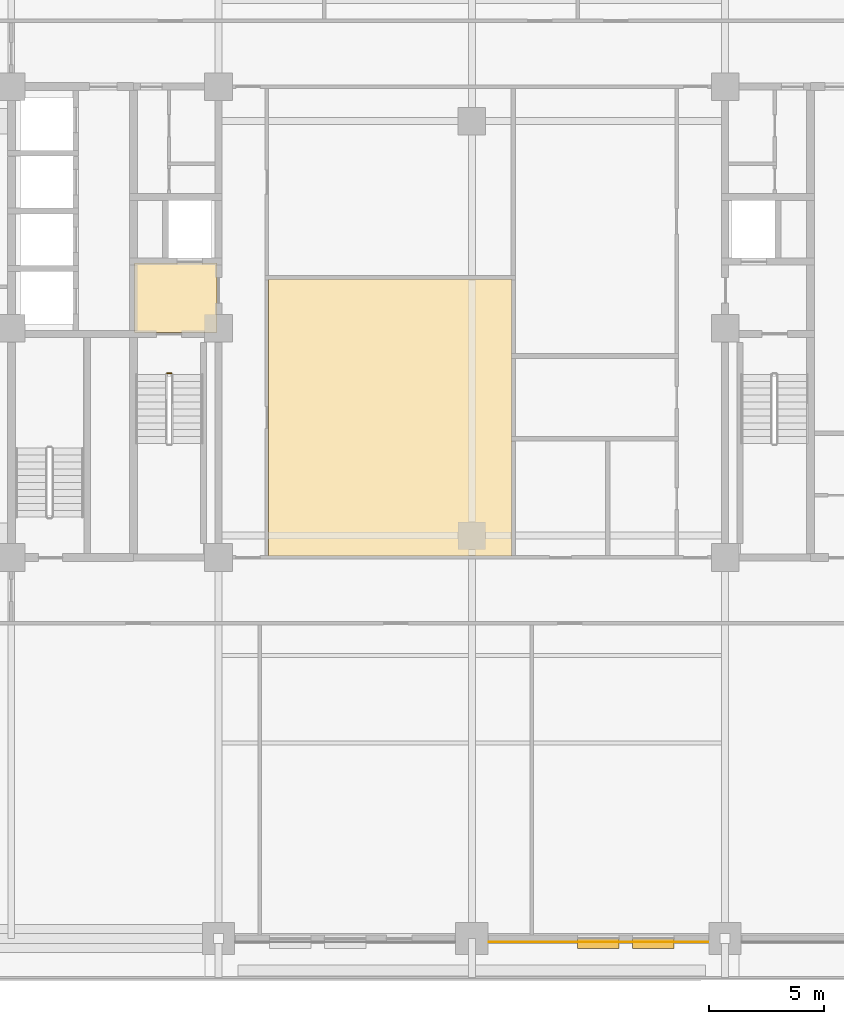
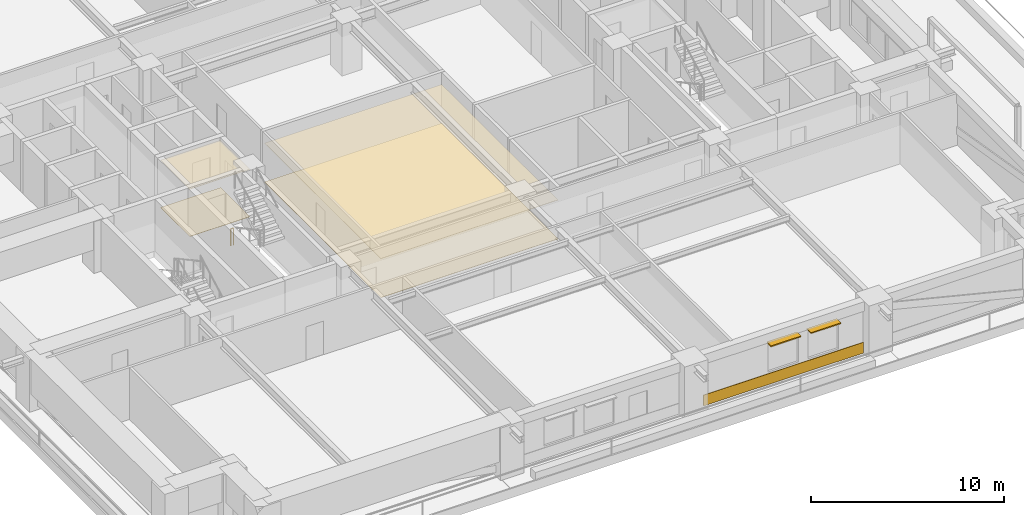
# One storey, part 15 of 18: 5 coverings, 2 shading devices, 1 railing.
"""IFC4 building model written with IfcOpenShell, lengths in metres."""

from ifc_helpers import new_model, si_unit, direction, frame, frame_2d, origin, origin_2d, place, context, subcontext, project, spatial, polyline, rectangle, outline, extrude, material, layer, layer_set, type_object, element, save


model = new_model("IFC4")

# Units and contexts
model_context = context("Model", 3, precision=1e-05, world=origin(), true_north=direction((0.0, 1.0)))
body_context = subcontext(model_context, "Body", "Model", "MODEL_VIEW")
ifc_project = project(units=[si_unit("LENGTHUNIT", "METRE"), si_unit("AREAUNIT", "SQUARE_METRE"), si_unit("VOLUMEUNIT", "CUBIC_METRE"), si_unit("PLANEANGLEUNIT", "RADIAN"), si_unit("MASSUNIT", "GRAM", prefix="KILO")], contexts=[model_context])

# Site, building, storey
site_placement = place(None, origin())
site = spatial("IfcSite", under=ifc_project, at=site_placement, CompositionType="ELEMENT")
building_placement = place(site_placement, origin())
building = spatial("IfcBuilding", under=site, at=building_placement, Name="Zulmaris Gate Convention Tower", CompositionType="ELEMENT")
storey_placement = place(building_placement, frame((0.0, 0.0, 57.18994140625)))
storey = spatial("IfcBuildingStorey", under=building, at=storey_placement, Name="L13", CompositionType="ELEMENT", Elevation=57.18994140625)

# Coverings
ifc_material_1 = material(Name="Precast concrete C40/50", Category="concrete")
ifc_layer_1 = layer(ifc_material_1, 0.0400390625, Name="Precast concrete C40/50")
ifc_layer_set_1 = layer_set([ifc_layer_1], Name="Precast concrete C40/50")
covering_type_1 = type_object("IfcCoveringType", Name="CLAD-SPANDREL-PRECAST", PredefinedType="CLADDING", material=ifc_layer_set_1)
covering_1_placement = place(storey_placement, frame((0.72998046875, -26.64990234375, 0.0), z_axis=(0.0, 0.0, 1.0), x_axis=(1.0, 0.0, 0.0)))
element("IfcCovering", 1, at=covering_1_placement, inside=storey, type_object=covering_type_1, Name="CLD-L13-S-2_0", PredefinedType="CLADDING", context=body_context, shape_type="SweptSolid", body=[
    extrude(rectangle(XDim=9.5400390625, YDim=0.0400390625, at=frame_2d((4.77001953125, 0.0))), origin(), (0.0, 0.0, 1.0), 0.679931640625),
])
ifc_material_2 = material(Name="Mineral Fibre Acoustic Ceiling Tile")
ifc_layer_2 = layer(ifc_material_2, 0.02001953125, Name="Mineral Fibre Acoustic Ceiling Tile")
ifc_layer_set_2 = layer_set([ifc_layer_2], Name="Mineral Fibre Acoustic Ceiling Tile")
covering_type_2 = type_object("IfcCoveringType", Name="CLG-ACOUSTIC-600", PredefinedType="CEILING", material=ifc_layer_set_2)
covering_2_placement = place(storey_placement, frame((0.0, 0.0, 2.989990234375)))
element("IfcCovering", 2, at=covering_2_placement, inside=storey, type_object=covering_type_2, Name="CLG-L13-R03", PredefinedType="CEILING", context=body_context, shape_type="SweptSolid", body=[
    extrude(outline(polyline([(-14.639892578125, -0.18994140625), (-11.06005859375, -0.18994140625), (-11.06005859375, 2.840087890625), (-14.639892578125, 2.840087890625), (-14.639892578125, -0.18994140625)])), origin(), (0.0, 0.0, 1.0), 0.02001953125),
])
covering_3_placement = place(storey_placement, frame((0.0, 0.0, 2.453125)))
element("IfcCovering", 3, at=covering_3_placement, inside=storey, type_object=covering_type_2, Name="CLG-L13-R45", PredefinedType="CEILING", context=body_context, shape_type="SweptSolid", body=[
    extrude(outline(polyline([(-8.840087890625, -9.889892578125), (1.739990234375, -9.889892578125), (1.739990234375, 2.139892578125), (-8.840087890625, 2.139892578125), (-8.840087890625, -9.889892578125)])), origin(), (0.0, 0.0, 1.0), 0.02001953125),
])
ifc_material_3 = material(Name="Woven Acoustic Wool Carpet Tile")
ifc_layer_3 = layer(ifc_material_3, 0.02001953125, Name="Woven Acoustic Wool Carpet Tile")
ifc_layer_set_3 = layer_set([ifc_layer_3], Name="Woven Acoustic Wool Carpet Tile")
covering_type_3 = type_object("IfcCoveringType", Name="FLR-CARPET-12", PredefinedType="FLOORING", material=ifc_layer_set_3)
covering_4_placement = place(storey_placement, origin())
element("IfcCovering", 4, at=covering_4_placement, inside=storey, type_object=covering_type_3, Name="FLR-L13-R03", PredefinedType="FLOORING", context=body_context, shape_type="SweptSolid", body=[
    extrude(outline(polyline([(-14.639892578125, -0.18994140625), (-11.06005859375, -0.18994140625), (-11.06005859375, 2.840087890625), (-14.639892578125, 2.840087890625), (-14.639892578125, -0.18994140625)])), origin(), (0.0, 0.0, 1.0), 0.02001953125),
])
covering_5_placement = place(storey_placement, origin())
element("IfcCovering", 5, at=covering_5_placement, inside=storey, type_object=covering_type_3, Name="FLR-L13-R45", PredefinedType="FLOORING", context=body_context, shape_type="SweptSolid", body=[
    extrude(outline(polyline([(-8.840087890625, -9.889892578125), (1.739990234375, -9.889892578125), (1.739990234375, 2.139892578125), (-8.840087890625, 2.139892578125), (-8.840087890625, -9.889892578125)])), origin(), (0.0, 0.0, 1.0), 0.02001953125),
])

# Railing
ifc_material_4 = material(Name="Painted Galvanised Steel", Category="steel")
railing_type = type_object("IfcRailingType", Name="RL-STG-1150", PredefinedType="GUARDRAIL", material=ifc_material_4)
railing_placement = place(storey_placement, frame((-13.219970703125, -1.949951171875, 0.0)))
element("IfcRailing", 6, at=railing_placement, inside=storey, type_object=railing_type, Name="L13 ST-1 stair guard 4", PredefinedType="GUARDRAIL", context=body_context, shape_type="SweptSolid", body=[
    extrude(rectangle(XDim=0.048095703125, YDim=0.048095703125, at=origin_2d()), frame((0.0, 0.0, 1.076171875), z_axis=(1.0, 0.0, 0.0), x_axis=(0.0, 1.0, 0.0)), (0.0, 0.0, 1.0), 0.159912109375),
    extrude(rectangle(XDim=0.0419921875, YDim=0.0419921875, at=origin_2d()), origin(), (0.0, 0.0, 1.0), 1.052001953125),
    extrude(rectangle(XDim=0.0419921875, YDim=0.0419921875, at=origin_2d()), frame((0.159912109375, 0.0, 0.0)), (0.0, 0.0, 1.0), 1.052001953125),
])

# Shading devices
ifc_material_5 = material(Name="Glazed Ceramic Terracotta", Category="masonry")
ifc_layer_4 = layer(ifc_material_5, 0.070068359375, Name="Glazed Ceramic Terracotta")
ifc_layer_set_4 = layer_set([ifc_layer_4], Name="Glazed Ceramic Terracotta")
shading_device_type = type_object("IfcShadingDeviceType", Name="SHD-SUNSHADE-TC", PredefinedType="AWNING", material=ifc_layer_set_4)
for number, where, z_axis, x_axis, name in (
    (7, (4.60009765625, -26.719970703125, 2.530029296875), (0.0, 0.0, 1.0), (1.0, 0.0, 0.0), "SHD-EW-L13-S-2_0-2"),
    (8, (6.985107421875, -26.719970703125, 2.530029296875), (0.0, 0.0, 1.0), (1.0, 0.0, 0.0), "SHD-EW-L13-S-2_0-3"),
):
    element("IfcShadingDevice", number, at=place(storey_placement, frame(where, z_axis=z_axis, x_axis=x_axis)), inside=storey, type_object=shading_device_type, Name=name, PredefinedType="AWNING", context=body_context, shape_type="SweptSolid", body=[
        extrude(rectangle(XDim=1.7998046875, YDim=0.43994140625, at=frame_2d((0.89990234375, 0.0))), origin(), (0.0, 0.0, 1.0), 0.06982421875),
    ])

save(model, "model.ifc")
